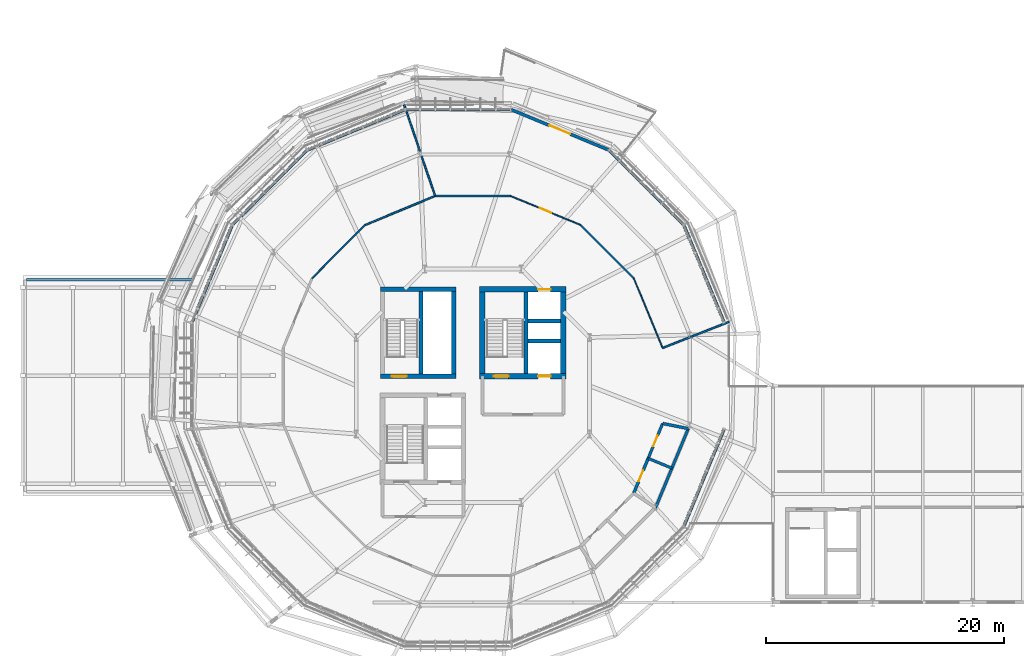
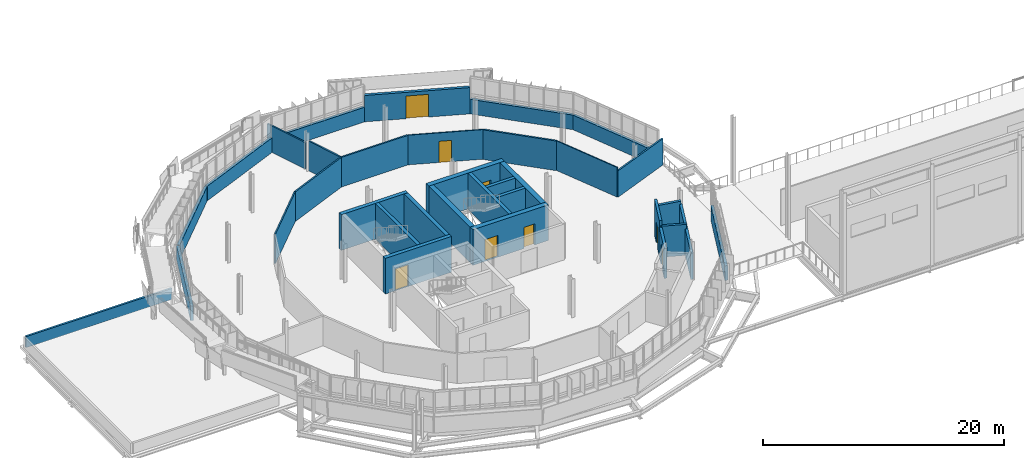
# One storey, part 49 of 61: 34 walls, 8 doors, 8 openings.
"""IFC4 building model written with IfcOpenShell, lengths in metres."""

from ifc_helpers import new_model, si_unit, derived_unit, direction, frame, frame_2d, origin, place, context, subcontext, project, spatial, rectangle, extrude, material, layer, layer_set, type_object, element, fill, save


model = new_model("IFC4")

# Units and contexts
model_context = context("Model", 3, precision=1e-05, world=origin(), true_north=direction((0.0, 1.0)))
body_context = subcontext(model_context, "Body", "Model", "MODEL_VIEW")
ifc_project = project(units=[si_unit("LENGTHUNIT", "METRE"), si_unit("AREAUNIT", "SQUARE_METRE"), si_unit("VOLUMEUNIT", "CUBIC_METRE"), si_unit("PLANEANGLEUNIT", "RADIAN"), si_unit("MASSUNIT", "GRAM", prefix="KILO"), derived_unit("THERMALTRANSMITTANCEUNIT", [(si_unit("MASSUNIT", "GRAM", prefix="KILO"), 1), (si_unit("TIMEUNIT", "SECOND"), -3), (si_unit("THERMODYNAMICTEMPERATUREUNIT", "KELVIN"), -1)])], contexts=[model_context])

# Site, building, storey
site_placement = place(None, origin())
site = spatial("IfcSite", under=ifc_project, at=site_placement, CompositionType="ELEMENT")
building_placement = place(site_placement, origin())
building = spatial("IfcBuilding", under=site, at=building_placement, Name="Makaiwela Harbour Ferry Terminal", CompositionType="ELEMENT")
storey_placement = place(building_placement, frame((0.0, 0.0, 13.800048828125)))
storey = spatial("IfcBuildingStorey", under=building, at=storey_placement, Name="L03", CompositionType="ELEMENT", Elevation=13.800048828125)

# Walls
ifc_material_1 = material(Name="Precast concrete f'c 40 MPa (6000 psi)", Category="concrete")
ifc_layer_1 = layer(ifc_material_1, 0.260009765625)
ifc_layer_set_1 = layer_set([ifc_layer_1], Name="Precast concrete f'c 40 MPa (6000 psi)")
wall_type_1 = type_object("IfcWallType", Name="ENV-WL-EXT260", PredefinedType="SOLIDWALL", material=ifc_layer_set_1)
for number, where, z_axis, x_axis, name in (
    (1, (58.900390625, 72.915771484375, 0.0), (0.0, 0.0, 1.0), (-0.382672275024, 0.923884153954, 0.0), "Drum Spandrel Backup Wall EW-L03-00"),
    (2, (55.486328125, 81.128173828125, 0.0), (0.0, 0.0, 1.0), (-0.707106781187, 0.707106781187, 0.0), "Drum Spandrel Backup Wall EW-L03-01"),
):
    element("IfcWall", number, at=place(storey_placement, frame(where, z_axis=z_axis, x_axis=x_axis)), inside=storey, type_object=wall_type_1, Name=name, PredefinedType="SOLIDWALL", context=body_context, shape_type="SweptSolid", body=[
        extrude(rectangle(XDim=8.836181640625, YDim=0.260009765625, at=frame_2d((4.41796875, 0.0))), origin(), (0.0, 0.0, 1.0), 1.47998046875),
    ])

# Wall, opening, door
wall_1_placement = place(storey_placement, frame((49.189208984375, 87.408935546875, 0.0), z_axis=(0.0, 0.0, 1.0), x_axis=(-0.923880107749, 0.382682043614, 0.0)))
wall_1 = element("IfcWall", 3, at=wall_1_placement, inside=storey, type_object=wall_type_1, Name="Drum Exterior Wall EW-L03-02", PredefinedType="SOLIDWALL", context=body_context, shape_type="SweptSolid", body=[
    extrude(rectangle(XDim=8.8359375, YDim=0.260009765625, at=frame_2d((4.41796875, 0.0))), origin(), (0.0, 0.0, 1.0), 2.669921875),
])
opening_1_placement = place(wall_1_placement, frame((3.468017578125, 0.0, 0.0)))
opening_1 = element("IfcOpeningElement", 4, at=opening_1_placement, cuts=wall_1, Name="Opening ED-06", PredefinedType="OPENING", context=body_context, shape_type="SweptSolid", body=[
    extrude(rectangle(XDim=1.89990234375, YDim=2.300048828125, at=frame_2d((0.949951171875, 1.14990234375))), frame((0.0, 0.139892578125, 0.0), z_axis=(0.0, -1.0, 0.0), x_axis=(1.0, 0.0, 0.0)), (0.0, 0.0, 1.0), 0.280029296875),
])
ifc_material_2 = material(Name="Marine anodised aluminium 6063-T6", Category="aluminium")
door_type_1 = type_object("IfcDoorType", Name="ENV-DR-TER190", OperationType="NOTDEFINED", PredefinedType="DOOR", material=ifc_material_2)
door_1_placement = place(opening_1_placement, frame((1.89990234375, 0.0, 0.0), z_axis=(0.0, 0.0, 1.0), x_axis=(-1.0, 0.0, 0.0)))
door_1 = element("IfcDoor", 5, at=door_1_placement, inside=storey, type_object=door_type_1, Name="Exterior Door ED-06", OperationType="DOUBLE_DOOR_SINGLE_SWING", OverallHeight=2.300048828125, OverallWidth=1.89990234375, PredefinedType="DOOR", context=body_context, shape_type="SweptSolid", body=[
    extrude(rectangle(XDim=1.89990234375, YDim=2.300048828125, at=frame_2d((0.949951171875, 1.14990234375))), frame((0.0, 0.02490234375, 0.0), z_axis=(0.0, -1.0, 0.0), x_axis=(1.0, 0.0, 0.0)), (0.0, 0.0, 1.0), 0.050048828125),
])
fill(opening_1, door_1)

# Walls
for number, where, z_axis, x_axis, name in (
    (6, (40.968017578125, 90.802001953125, 0.0), (0.0, 0.0, 1.0), (-1.0, 0.0, 0.0), "Drum Spandrel Backup Wall EW-L03-03"),
    (7, (32.07421875, 90.790283203125, 0.0), (0.0, 0.0, 1.0), (-0.923884153954, -0.382672275024, 0.0), "Drum Spandrel Backup Wall EW-L03-04"),
    (8, (23.86181640625, 87.376220703125, 0.0), (0.0, 0.0, 1.0), (-0.707106781187, -0.707106781187, 0.0), "Drum Spandrel Backup Wall EW-L03-05"),
    (9, (17.5810546875, 81.079345703125, 0.0), (0.0, 0.0, 1.0), (-0.382672275024, -0.923884153954, 0.0), "Drum Spandrel Backup Wall EW-L03-06"),
):
    element("IfcWall", number, at=place(storey_placement, frame(where, z_axis=z_axis, x_axis=x_axis)), inside=storey, type_object=wall_type_1, Name=name, PredefinedType="SOLIDWALL", context=body_context, shape_type="SweptSolid", body=[
        extrude(rectangle(XDim=8.836181640625, YDim=0.260009765625, at=frame_2d((4.41796875, 0.0))), origin(), (0.0, 0.0, 1.0), 1.47998046875),
    ])
wall_2_placement = place(storey_placement, frame((55.51904296875, 55.80078125, 0.0), z_axis=(0.0, 0.0, 1.0), x_axis=(0.382682043614, 0.923880107749, 0.0)))
element("IfcWall", 10, at=wall_2_placement, inside=storey, type_object=wall_type_1, Name="Drum Spandrel Backup Wall EW-L03-14", PredefinedType="SOLIDWALL", context=body_context, shape_type="SweptSolid", body=[
    extrude(rectangle(XDim=8.8359375, YDim=0.260009765625, at=frame_2d((4.41796875, 0.0))), origin(), (0.0, 0.0, 1.0), 1.47998046875),
])
ifc_layer_2 = layer(ifc_material_1, 0.18994140625)
ifc_layer_set_2 = layer_set([ifc_layer_2], Name="Precast concrete f'c 40 MPa (6000 psi)")
wall_type_2 = type_object("IfcWallType", Name="ENV-WL-PAR190", PredefinedType="PARAPET", material=ifc_layer_set_2)
wall_3_placement = place(storey_placement, frame((0.304931640625, 76.5, 0.0), z_axis=(0.0, 0.0, 1.0), x_axis=(1.0, 0.0, 0.0)))
element("IfcWall", 11, at=wall_3_placement, inside=storey, type_object=wall_type_2, Name="Roof Parapet Wall PW-021", PredefinedType="PARAPET", context=body_context, shape_type="SweptSolid", body=[
    extrude(rectangle(XDim=13.989990234375, YDim=0.18994140625, at=frame_2d((6.9951171875, 0.0))), origin(), (0.0, 0.0, 1.0), 1.119873046875),
])
ifc_material_3 = material(Name="Fire-rated gypsum board on steel studs", Category="steel")
ifc_layer_3 = layer(ifc_material_3, 0.1650390625)
ifc_layer_set_3 = layer_set([ifc_layer_3], Name="Fire-rated gypsum board on steel studs")
wall_type_3 = type_object("IfcWallType", Name="INT-WL-FIR165", PredefinedType="PARTITIONING", material=ifc_layer_set_3)
wall_4_placement = place(storey_placement, frame((51.311279296875, 76.6279296875, 0.0), z_axis=(0.0, 0.0, 1.0), x_axis=(-0.707106781187, 0.707106781187, 0.0)))
element("IfcWall", 12, at=wall_4_placement, inside=storey, type_object=wall_type_3, Name="Interior Wall IW-0328", PredefinedType="PARTITIONING", context=body_context, shape_type="SweptSolid", body=[
    extrude(rectangle(XDim=6.340576171875, YDim=0.1650390625, at=frame_2d((3.17041015625, 0.0))), origin(), (0.0, 0.0, 1.0), 3.00390625),
])

# Wall, opening, door
ifc_material_4 = material(Name="Moisture-resistant acoustic gypsum partition", Category="gypsum")
ifc_layer_4 = layer(ifc_material_4, 0.22998046875)
ifc_layer_set_4 = layer_set([ifc_layer_4], Name="Moisture-resistant acoustic gypsum partition")
wall_type_4 = type_object("IfcWallType", Name="INT-WL-PLM230", PredefinedType="PLUMBINGWALL", material=ifc_layer_set_4)
wall_5_placement = place(storey_placement, frame((52.524658203125, 61.5009765625, 0.0), z_axis=(0.0, 0.0, 1.0), x_axis=(0.382689618566, 0.923876970079, 0.0)))
wall_5 = element("IfcWall", 13, at=wall_5_placement, inside=storey, type_object=wall_type_4, Name="Interior Wall IW-0346", PredefinedType="PLUMBINGWALL", context=body_context, shape_type="SweptSolid", body=[
    extrude(rectangle(XDim=3.169921875, YDim=0.22998046875, at=frame_2d((1.5849609375, 0.0))), origin(), (0.0, 0.0, 1.0), 3.639892578125),
])
opening_2_placement = place(wall_5_placement, frame((1.09521484375, 0.0, 0.0)))
opening_2 = element("IfcOpeningElement", 14, at=opening_2_placement, cuts=wall_5, Name="Opening D-12", PredefinedType="OPENING", context=body_context, shape_type="SweptSolid", body=[
    extrude(rectangle(XDim=0.97998046875, YDim=2.14990234375, at=frame_2d((0.489990234375, 1.074951171875))), frame((0.0, 0.125, 0.0), z_axis=(0.0, -1.0, 0.0), x_axis=(1.0, 0.0, 0.0)), (0.0, 0.0, 1.0), 0.25),
])
ifc_material_5 = material(Name="Solid-core marine hardwood and painted steel frame", Category="steel")
door_type_2 = type_object("IfcDoorType", Name="INT-DR-WC098", OperationType="NOTDEFINED", PredefinedType="DOOR", material=ifc_material_5)
door_2_placement = place(opening_2_placement, frame((0.97998046875, 0.0, 0.0), z_axis=(0.0, 0.0, 1.0), x_axis=(-1.0, 0.0, 0.0)))
door_2 = element("IfcDoor", 15, at=door_2_placement, inside=storey, type_object=door_type_2, Name="Door D-12", OperationType="SINGLE_SWING_RIGHT", OverallHeight=2.14990234375, OverallWidth=0.97998046875, PredefinedType="DOOR", context=body_context, shape_type="SweptSolid", body=[
    extrude(rectangle(XDim=0.97998046875, YDim=2.14990234375, at=frame_2d((0.489990234375, 1.074951171875))), frame((0.0, 0.02490234375, 0.0), z_axis=(0.0, -1.0, 0.0), x_axis=(1.0, 0.0, 0.0)), (0.0, 0.0, 1.0), 0.050048828125),
])
fill(opening_2, door_2)

# Walls
wall_6_placement = place(storey_placement, frame((53.140625, 57.349609375, 0.0), z_axis=(0.0, 0.0, 1.0), x_axis=(0.382683262556, 0.923879602849, 0.0)))
element("IfcWall", 16, at=wall_6_placement, inside=storey, type_object=wall_type_4, Name="Interior Wall IW-0347", PredefinedType="PLUMBINGWALL", context=body_context, shape_type="SweptSolid", body=[
    extrude(rectangle(XDim=7.198974609375, YDim=0.22998046875, at=frame_2d((3.599609375, 0.0))), origin(), (0.0, 0.0, 1.0), 2.669921875),
])
wall_7_placement = place(storey_placement, frame((52.524658203125, 61.5009765625, 0.0), z_axis=(0.0, 0.0, 1.0), x_axis=(0.923881682241, -0.382678242417, 0.0)))
element("IfcWall", 17, at=wall_7_placement, inside=storey, type_object=wall_type_4, Name="Interior Wall IW-0348", PredefinedType="PLUMBINGWALL", context=body_context, shape_type="SweptSolid", body=[
    extrude(rectangle(XDim=2.15771484375, YDim=0.22998046875, at=frame_2d((1.078857421875, 0.0))), origin(), (0.0, 0.0, 1.0), 3.14404296875),
])

# Wall, opening, door
ifc_layer_5 = layer(ifc_material_4, 0.25)
ifc_layer_set_5 = layer_set([ifc_layer_5], Name="Moisture-resistant acoustic gypsum partition")
wall_type_5 = type_object("IfcWallType", Name="INT-WL-PLM250", PredefinedType="PLUMBINGWALL", material=ifc_layer_set_5)
wall_8_placement = place(storey_placement, frame((51.311279296875, 58.572021484375, 0.0), z_axis=(0.0, 0.0, 1.0), x_axis=(0.38272812134, 0.923861020466, 0.0)))
wall_8 = element("IfcWall", 18, at=wall_8_placement, inside=storey, type_object=wall_type_5, Name="Interior Wall IW-0345", PredefinedType="PLUMBINGWALL", context=body_context, shape_type="SweptSolid", body=[
    extrude(rectangle(XDim=3.17041015625, YDim=0.25, at=frame_2d((1.585205078125, 0.0))), origin(), (0.0, 0.0, 1.0), 3.00390625),
])
opening_3_placement = place(wall_8_placement, frame((1.09521484375, 0.0, 0.0)))
opening_3 = element("IfcOpeningElement", 19, at=opening_3_placement, cuts=wall_8, Name="Opening D-12", PredefinedType="OPENING", context=body_context, shape_type="SweptSolid", body=[
    extrude(rectangle(XDim=0.97998046875, YDim=2.14990234375, at=frame_2d((0.489990234375, 1.074951171875))), frame((0.0, 0.135009765625, 0.0), z_axis=(0.0, -1.0, 0.0), x_axis=(1.0, 0.0, 0.0)), (0.0, 0.0, 1.0), 0.27001953125),
])
door_3_placement = place(opening_3_placement, frame((0.97998046875, 0.0, 0.0), z_axis=(0.0, 0.0, 1.0), x_axis=(-1.0, 0.0, 0.0)))
door_3 = element("IfcDoor", 20, at=door_3_placement, inside=storey, type_object=door_type_2, Name="Door D-12", OperationType="SINGLE_SWING_LEFT", OverallHeight=2.14990234375, OverallWidth=0.97998046875, PredefinedType="DOOR", context=body_context, shape_type="SweptSolid", body=[
    extrude(rectangle(XDim=0.97998046875, YDim=2.14990234375, at=frame_2d((0.489990234375, 1.074951171875))), frame((0.0, 0.02490234375, 0.0), z_axis=(0.0, -1.0, 0.0), x_axis=(1.0, 0.0, 0.0)), (0.0, 0.0, 1.0), 0.050048828125),
])
fill(opening_3, door_3)

# Walls
wall_9_placement = place(storey_placement, frame((53.73779296875, 64.4296875, 0.0), z_axis=(0.0, 0.0, 1.0), x_axis=(0.98078501504, -0.195091656081, 0.0)))
element("IfcWall", 21, at=wall_9_placement, inside=storey, type_object=wall_type_5, Name="Interior Wall IW-0350", PredefinedType="PLUMBINGWALL", context=body_context, shape_type="SweptSolid", body=[
    extrude(rectangle(XDim=2.199951171875, YDim=0.25, at=frame_2d((1.10009765625, 0.0))), origin(), (0.0, 0.0, 1.0), 3.00390625),
])
ifc_layer_6 = layer(ifc_material_4, 0.10009765625)
ifc_layer_set_6 = layer_set([ifc_layer_6], Name="Moisture-resistant acoustic gypsum partition")
wall_type_6 = type_object("IfcWallType", Name="INT-WL-PRT100", PredefinedType="PARTITIONING", material=ifc_layer_set_6)
wall_10_placement = place(storey_placement, frame((53.73779296875, 70.770263671875, 0.0), z_axis=(0.0, 0.0, 1.0), x_axis=(-0.382708871005, 0.923868995071, 0.0)))
element("IfcWall", 22, at=wall_10_placement, inside=storey, type_object=wall_type_6, Name="Interior Wall IW-0327", PredefinedType="PARTITIONING", context=body_context, shape_type="SweptSolid", body=[
    extrude(rectangle(XDim=6.34033203125, YDim=0.10009765625, at=frame_2d((3.170166015625, 0.0))), origin(), (0.0, 0.0, 1.0), 3.00390625),
])

# Wall, opening, door
wall_11_placement = place(storey_placement, frame((46.827880859375, 81.111328125, 0.0), z_axis=(0.0, 0.0, 1.0), x_axis=(-0.923868995071, 0.382708871005, 0.0)))
wall_11 = element("IfcWall", 23, at=wall_11_placement, inside=storey, type_object=wall_type_6, Name="Interior Wall IW-0329", PredefinedType="PARTITIONING", context=body_context, shape_type="SweptSolid", body=[
    extrude(rectangle(XDim=6.34033203125, YDim=0.10009765625, at=frame_2d((3.170166015625, 0.0))), origin(), (0.0, 0.0, 1.0), 3.00390625),
])
opening_4_placement = place(wall_11_placement, frame((2.645263671875, 0.0, 0.0)))
opening_4 = element("IfcOpeningElement", 24, at=opening_4_placement, cuts=wall_11, Name="Opening D-10", PredefinedType="OPENING", context=body_context, shape_type="SweptSolid", body=[
    extrude(rectangle(XDim=1.050048828125, YDim=2.14990234375, at=frame_2d((0.52490234375, 1.074951171875))), frame((0.0, 0.06005859375, 0.0), z_axis=(0.0, -1.0, 0.0), x_axis=(1.0, 0.0, 0.0)), (0.0, 0.0, 1.0), 0.1201171875),
])
door_type_3 = type_object("IfcDoorType", Name="INT-DR-RM105", OperationType="NOTDEFINED", PredefinedType="DOOR", material=ifc_material_5)
door_4_placement = place(opening_4_placement, frame((1.050048828125, 0.0, 0.0), z_axis=(0.0, 0.0, 1.0), x_axis=(-1.0, 0.0, 0.0)))
door_4 = element("IfcDoor", 25, at=door_4_placement, inside=storey, type_object=door_type_3, Name="Door D-10", OperationType="SINGLE_SWING_RIGHT", OverallHeight=2.14990234375, OverallWidth=1.050048828125, PredefinedType="DOOR", context=body_context, shape_type="SweptSolid", body=[
    extrude(rectangle(XDim=1.050048828125, YDim=2.14990234375, at=frame_2d((0.52490234375, 1.074951171875))), frame((0.0, 0.02490234375, 0.0), z_axis=(0.0, -1.0, 0.0), x_axis=(1.0, 0.0, 0.0)), (0.0, 0.0, 1.0), 0.050048828125),
])
fill(opening_4, door_4)

# Walls
ifc_layer_7 = layer(ifc_material_4, 0.1201171875)
ifc_layer_set_7 = layer_set([ifc_layer_7], Name="Moisture-resistant acoustic gypsum partition")
wall_type_7 = type_object("IfcWallType", Name="INT-WL-PRT120", PredefinedType="PARTITIONING", material=ifc_layer_set_7)
wall_12_placement = place(storey_placement, frame((28.77197265625, 81.111328125, 0.0), z_axis=(0.0, 0.0, 1.0), x_axis=(-0.707106781187, -0.707106781187, 0.0)))
element("IfcWall", 26, at=wall_12_placement, inside=storey, type_object=wall_type_7, Name="Interior Wall IW-0332", PredefinedType="PARTITIONING", context=body_context, shape_type="SweptSolid", body=[
    extrude(rectangle(XDim=6.340576171875, YDim=0.1201171875, at=frame_2d((3.17041015625, 0.0))), origin(), (0.0, 0.0, 1.0), 3.00390625),
])
ifc_layer_8 = layer(ifc_material_4, 0.139892578125)
ifc_layer_set_8 = layer_set([ifc_layer_8], Name="Moisture-resistant acoustic gypsum partition")
wall_type_8 = type_object("IfcWallType", Name="INT-WL-PRT140", PredefinedType="PARTITIONING", material=ifc_layer_set_8)
wall_13_placement = place(storey_placement, frame((34.6298828125, 83.537841796875, 0.0), z_axis=(0.0, 0.0, 1.0), x_axis=(-0.92387463456, -0.382695256851, 0.0)))
element("IfcWall", 27, at=wall_13_placement, inside=storey, type_object=wall_type_8, Name="Interior Wall IW-0331", PredefinedType="PARTITIONING", context=body_context, shape_type="SweptSolid", body=[
    extrude(rectangle(XDim=6.340576171875, YDim=0.139892578125, at=frame_2d((3.17041015625, 0.0))), origin(), (0.0, 0.0, 1.0), 3.00390625),
])
wall_14_placement = place(storey_placement, frame((34.6298828125, 83.537841796875, 0.0), z_axis=(0.0, 0.0, 1.0), x_axis=(-0.32209993334, 0.946705673872, 0.0)))
element("IfcWall", 28, at=wall_14_placement, inside=storey, type_object=wall_type_8, Name="Interior Wall IW-0352", PredefinedType="PARTITIONING", context=body_context, shape_type="SweptSolid", body=[
    extrude(rectangle(XDim=3.551025390625, YDim=0.139892578125, at=frame_2d((1.775390625, 0.0))), origin(), (0.0, 0.0, 1.0), 3.00390625),
])
wall_15_placement = place(storey_placement, frame((33.375732421875, 87.224365234375, 0.0), z_axis=(0.0, 0.0, 1.0), x_axis=(-0.322041208512, 0.946725651929, 0.0)))
element("IfcWall", 29, at=wall_15_placement, inside=storey, type_object=wall_type_8, Name="Interior Wall IW-0353", PredefinedType="PARTITIONING", context=body_context, shape_type="SweptSolid", body=[
    extrude(rectangle(XDim=4.20361328125, YDim=0.139892578125, at=frame_2d((2.101806640625, 0.0))), origin(), (0.0, 0.0, 1.0), 2.669921875),
])
ifc_layer_9 = layer(ifc_material_4, 0.14990234375)
ifc_layer_set_9 = layer_set([ifc_layer_9], Name="Moisture-resistant acoustic gypsum partition")
wall_type_9 = type_object("IfcWallType", Name="INT-WL-PRT150", PredefinedType="PARTITIONING", material=ifc_layer_set_9)
wall_16_placement = place(storey_placement, frame((40.97021484375, 83.537841796875, 0.0), z_axis=(0.0, 0.0, 1.0), x_axis=(-1.0, 0.0, 0.0)))
element("IfcWall", 30, at=wall_16_placement, inside=storey, type_object=wall_type_9, Name="Interior Wall IW-0330", PredefinedType="PARTITIONING", context=body_context, shape_type="SweptSolid", body=[
    extrude(rectangle(XDim=6.34033203125, YDim=0.14990234375, at=frame_2d((3.170166015625, 0.0))), origin(), (0.0, 0.0, 1.0), 3.00390625),
])
wall_17_placement = place(storey_placement, frame((53.73779296875, 70.770263671875, 0.0), z_axis=(0.0, 0.0, 1.0), x_axis=(0.930346923724, 0.36668051696, 0.0)))
element("IfcWall", 31, at=wall_17_placement, inside=storey, type_object=wall_type_9, Name="Interior Wall IW-0351", PredefinedType="PARTITIONING", context=body_context, shape_type="SweptSolid", body=[
    extrude(rectangle(XDim=5.99365234375, YDim=0.14990234375, at=frame_2d((2.996826171875, 0.0))), origin(), (0.0, 0.0, 1.0), 2.669921875),
])
ifc_material_6 = material(Name="Concrete f'c 45 MPa (6500 psi)", Category="concrete")
ifc_layer_10 = layer(ifc_material_6, 0.320068359375)
ifc_layer_set_10 = layer_set([ifc_layer_10], Name="Concrete f'c 45 MPa (6500 psi)")
wall_type_10 = type_object("IfcWallType", Name="INT-WL-SHR320", PredefinedType="SHEAR", material=ifc_layer_set_10)
wall_18_placement = place(storey_placement, frame((42.27197265625, 68.635009765625, 0.0), z_axis=(0.0, 0.0, 1.0), x_axis=(0.0, 1.0, 0.0)))
element("IfcWall", 32, at=wall_18_placement, inside=storey, type_object=wall_type_10, Name="Interior Wall IW-0038", PredefinedType="SHEAR", context=body_context, shape_type="SweptSolid", body=[
    extrude(rectangle(XDim=6.830078125, YDim=0.320068359375, at=frame_2d((3.4150390625, 0.0))), origin(), (0.0, 0.0, 1.0), 3.619873046875),
])
for number, where, z_axis, x_axis, name in (
    (33, (42.43701171875, 71.364990234375, 0.0), (0.0, 0.0, 1.0), (1.0, 0.0, 0.0), "Interior Wall IW-0039"),
    (34, (42.43701171875, 73.034912109375, 0.0), (0.0, 0.0, 1.0), (1.0, 0.0, 0.0), "Interior Wall IW-0040"),
):
    element("IfcWall", number, at=place(storey_placement, frame(where, z_axis=z_axis, x_axis=x_axis)), inside=storey, type_object=wall_type_10, Name=name, PredefinedType="SHEAR", context=body_context, shape_type="SweptSolid", body=[
        extrude(rectangle(XDim=2.73291015625, YDim=0.320068359375, at=frame_2d((1.366455078125, 0.0))), origin(), (0.0, 0.0, 1.0), 3.619873046875),
    ])
wall_19_placement = place(storey_placement, frame((33.43994140625, 68.590087890625, 0.0), z_axis=(0.0, 0.0, 1.0), x_axis=(0.0, 1.0, 0.0)))
element("IfcWall", 35, at=wall_19_placement, inside=storey, type_object=wall_type_10, Name="Interior Wall IW-0151", PredefinedType="SHEAR", context=body_context, shape_type="SweptSolid", body=[
    extrude(rectangle(XDim=6.919921875, YDim=0.320068359375, at=frame_2d((3.4599609375, 0.0))), origin(), (0.0, 0.0, 1.0), 3.619873046875),
])

# Wall, opening, door
ifc_layer_11 = layer(ifc_material_6, 0.360107421875)
ifc_layer_set_11 = layer_set([ifc_layer_11], Name="Concrete f'c 45 MPa (6500 psi)")
wall_type_11 = type_object("IfcWallType", Name="INT-WL-SHR360", PredefinedType="SHEAR", material=ifc_layer_set_11)
wall_20_placement = place(storey_placement, frame((30.02001953125, 68.39990234375, 0.0), z_axis=(0.0, 0.0, 1.0), x_axis=(1.0, 0.0, 0.0)))
wall_20 = element("IfcWall", 36, at=wall_20_placement, inside=storey, type_object=wall_type_11, Name="Interior Wall IW-0147", PredefinedType="SHEAR", context=body_context, shape_type="SweptSolid", body=[
    extrude(rectangle(XDim=6.35986328125, YDim=0.360107421875, at=frame_2d((3.179931640625, 0.0))), origin(), (0.0, 0.0, 1.0), 3.619873046875),
])
opening_5_placement = place(wall_20_placement, frame((0.965087890625, 0.0, 0.0)))
opening_5 = element("IfcOpeningElement", 37, at=opening_5_placement, cuts=wall_20, Name="Opening D-02", PredefinedType="OPENING", context=body_context, shape_type="SweptSolid", body=[
    extrude(rectangle(XDim=1.25, YDim=2.199951171875, at=frame_2d((0.625, 1.10009765625))), frame((0.0, 0.18994140625, 0.0), z_axis=(0.0, -1.0, 0.0), x_axis=(1.0, 0.0, 0.0)), (0.0, 0.0, 1.0), 0.380126953125),
])
ifc_material_7 = material(Name="Insulated galvanised fire-rated steel leaf and frame", Category="steel")
door_type_4 = type_object("IfcDoorType", Name="INT-DR-ST125", OperationType="NOTDEFINED", PredefinedType="DOOR", material=ifc_material_7)
door_5_placement = place(opening_5_placement, frame((1.25, 0.0, 0.0), z_axis=(0.0, 0.0, 1.0), x_axis=(-1.0, 0.0, 0.0)))
door_5 = element("IfcDoor", 38, at=door_5_placement, inside=storey, type_object=door_type_4, Name="Door D-02", OperationType="SINGLE_SWING_LEFT", OverallHeight=2.199951171875, OverallWidth=1.25, PredefinedType="DOOR", context=body_context, shape_type="SweptSolid", body=[
    extrude(rectangle(XDim=1.25, YDim=2.199951171875, at=frame_2d((0.625, 1.10009765625))), frame((0.0, 0.02490234375, 0.0), z_axis=(0.0, -1.0, 0.0), x_axis=(1.0, 0.0, 0.0)), (0.0, 0.0, 1.0), 0.050048828125),
])
fill(opening_5, door_5)

# Walls
wall_21_placement = place(storey_placement, frame((30.02001953125, 75.699951171875, 0.0), z_axis=(0.0, 0.0, 1.0), x_axis=(1.0, 0.0, 0.0)))
element("IfcWall", 39, at=wall_21_placement, inside=storey, type_object=wall_type_11, Name="Interior Wall IW-0148", PredefinedType="SHEAR", context=body_context, shape_type="SweptSolid", body=[
    extrude(rectangle(XDim=6.35986328125, YDim=0.360107421875, at=frame_2d((3.179931640625, 0.0))), origin(), (0.0, 0.0, 1.0), 3.619873046875),
])
wall_22_placement = place(storey_placement, frame((36.199951171875, 68.590087890625, 0.0), z_axis=(0.0, 0.0, 1.0), x_axis=(0.0, 1.0, 0.0)))
element("IfcWall", 40, at=wall_22_placement, inside=storey, type_object=wall_type_11, Name="Interior Wall IW-0150", PredefinedType="SHEAR", context=body_context, shape_type="SweptSolid", body=[
    extrude(rectangle(XDim=6.919921875, YDim=0.360107421875, at=frame_2d((3.4599609375, 0.0))), origin(), (0.0, 0.0, 1.0), 3.619873046875),
])

# Wall, openings, doors
ifc_layer_12 = layer(ifc_material_6, 0.449951171875)
ifc_layer_set_12 = layer_set([ifc_layer_12], Name="Concrete f'c 45 MPa (6500 psi)")
wall_type_12 = type_object("IfcWallType", Name="INT-WL-SHR450", PredefinedType="SHEAR", material=ifc_layer_set_12)
wall_23_placement = place(storey_placement, frame((38.375, 68.39990234375, 0.0), z_axis=(0.0, 0.0, 1.0), x_axis=(1.0, 0.0, 0.0)))
wall_23 = element("IfcWall", 41, at=wall_23_placement, inside=storey, type_object=wall_type_12, Name="Interior Wall IW-0034", PredefinedType="SHEAR", context=body_context, shape_type="SweptSolid", body=[
    extrude(rectangle(XDim=7.25, YDim=0.449951171875, at=frame_2d((3.625, 0.0))), origin(), (0.0, 0.0, 1.0), 3.619873046875),
])
opening_6_placement = place(wall_23_placement, frame((1.1875, 0.0, 0.0)))
opening_6 = element("IfcOpeningElement", 42, at=opening_6_placement, cuts=wall_23, Name="Opening D-02", PredefinedType="OPENING", context=body_context, shape_type="SweptSolid", body=[
    extrude(rectangle(XDim=1.25, YDim=2.199951171875, at=frame_2d((0.625, 1.10009765625))), frame((0.0, 0.23486328125, 0.0), z_axis=(0.0, -1.0, 0.0), x_axis=(1.0, 0.0, 0.0)), (0.0, 0.0, 1.0), 0.469970703125),
])
opening_7_placement = place(wall_23_placement, frame((4.90380859375, 0.0, 0.0)))
opening_7 = element("IfcOpeningElement", 43, at=opening_7_placement, cuts=wall_23, Name="Opening LD-01", PredefinedType="OPENING", context=body_context, shape_type="SweptSolid", body=[
    extrude(rectangle(XDim=1.050048828125, YDim=2.14990234375, at=frame_2d((0.52490234375, 1.074951171875))), frame((0.0, 0.23486328125, 0.0), z_axis=(0.0, -1.0, 0.0), x_axis=(1.0, 0.0, 0.0)), (0.0, 0.0, 1.0), 0.469970703125),
])
ifc_material_8 = material(Name="Marine grade 316L brushed stainless steel", Category="steel")
door_type_5 = type_object("IfcDoorType", Name="INT-DR-LD105", OperationType="NOTDEFINED", PredefinedType="DOOR", material=ifc_material_8)
door_6_placement = place(opening_7_placement, frame((1.050048828125, 0.0, 0.0), z_axis=(0.0, 0.0, 1.0), x_axis=(-1.0, 0.0, 0.0)))
door_6 = element("IfcDoor", 44, at=door_6_placement, inside=storey, type_object=door_type_5, Name="Door LD-01", OperationType="DOUBLE_DOOR_SLIDING", OverallHeight=2.14990234375, OverallWidth=1.050048828125, PredefinedType="DOOR", context=body_context, shape_type="SweptSolid", body=[
    extrude(rectangle(XDim=1.050048828125, YDim=2.14990234375, at=frame_2d((0.52490234375, 1.074951171875))), frame((0.0, 0.02490234375, 0.0), z_axis=(0.0, -1.0, 0.0), x_axis=(1.0, 0.0, 0.0)), (0.0, 0.0, 1.0), 0.050048828125),
])
fill(opening_7, door_6)
door_7_placement = place(opening_6_placement, frame((1.25, 0.0, 0.0), z_axis=(0.0, 0.0, 1.0), x_axis=(-1.0, 0.0, 0.0)))
door_7 = element("IfcDoor", 45, at=door_7_placement, inside=storey, type_object=door_type_4, Name="Door D-02", OperationType="SINGLE_SWING_RIGHT", OverallHeight=2.199951171875, OverallWidth=1.25, PredefinedType="DOOR", context=body_context, shape_type="SweptSolid", body=[
    extrude(rectangle(XDim=1.25, YDim=2.199951171875, at=frame_2d((0.625, 1.10009765625))), frame((0.0, 0.02490234375, 0.0), z_axis=(0.0, -1.0, 0.0), x_axis=(1.0, 0.0, 0.0)), (0.0, 0.0, 1.0), 0.050048828125),
])
fill(opening_6, door_7)

# Wall, opening, door
wall_24_placement = place(storey_placement, frame((38.375, 75.699951171875, 0.0), z_axis=(0.0, 0.0, 1.0), x_axis=(1.0, 0.0, 0.0)))
wall_24 = element("IfcWall", 46, at=wall_24_placement, inside=storey, type_object=wall_type_12, Name="Interior Wall IW-0035", PredefinedType="SHEAR", context=body_context, shape_type="SweptSolid", body=[
    extrude(rectangle(XDim=7.25, YDim=0.449951171875, at=frame_2d((3.625, 0.0))), origin(), (0.0, 0.0, 1.0), 3.619873046875),
])
opening_8_placement = place(wall_24_placement, frame((4.90380859375, 0.0, 0.0)))
opening_8 = element("IfcOpeningElement", 47, at=opening_8_placement, cuts=wall_24, Name="Opening LD-01", PredefinedType="OPENING", context=body_context, shape_type="SweptSolid", body=[
    extrude(rectangle(XDim=1.050048828125, YDim=2.14990234375, at=frame_2d((0.52490234375, 1.074951171875))), frame((0.0, 0.23486328125, 0.0), z_axis=(0.0, -1.0, 0.0), x_axis=(1.0, 0.0, 0.0)), (0.0, 0.0, 1.0), 0.469970703125),
])
door_8_placement = place(opening_8_placement, origin())
door_8 = element("IfcDoor", 48, at=door_8_placement, inside=storey, type_object=door_type_5, Name="Door LD-01", OperationType="DOUBLE_DOOR_SLIDING", OverallHeight=2.14990234375, OverallWidth=1.050048828125, PredefinedType="DOOR", context=body_context, shape_type="SweptSolid", body=[
    extrude(rectangle(XDim=1.050048828125, YDim=2.14990234375, at=frame_2d((0.52490234375, 1.074951171875))), frame((0.0, 0.02490234375, 0.0), z_axis=(0.0, -1.0, 0.0), x_axis=(1.0, 0.0, 0.0)), (0.0, 0.0, 1.0), 0.050048828125),
])
fill(opening_8, door_8)

# Walls
for number, where, z_axis, x_axis, name in (
    (49, (38.60009765625, 68.635009765625, 0.0), (0.0, 0.0, 1.0), (0.0, 1.0, 0.0), "Interior Wall IW-0036"),
    (50, (45.39990234375, 68.635009765625, 0.0), (0.0, 0.0, 1.0), (0.0, 1.0, 0.0), "Interior Wall IW-0037"),
):
    element("IfcWall", number, at=place(storey_placement, frame(where, z_axis=z_axis, x_axis=x_axis)), inside=storey, type_object=wall_type_12, Name=name, PredefinedType="SHEAR", context=body_context, shape_type="SweptSolid", body=[
        extrude(rectangle(XDim=6.830078125, YDim=0.449951171875, at=frame_2d((3.4150390625, 0.0))), origin(), (0.0, 0.0, 1.0), 3.619873046875),
    ])

save(model, "model.ifc")
